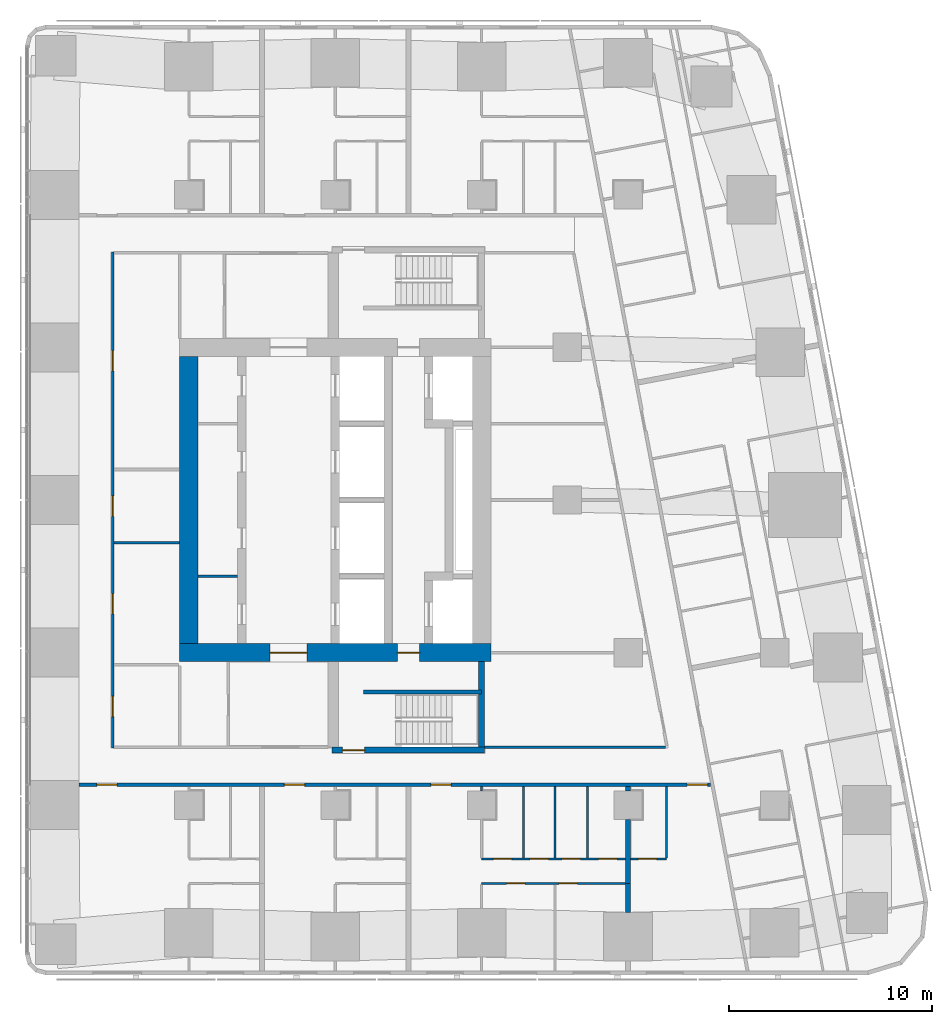
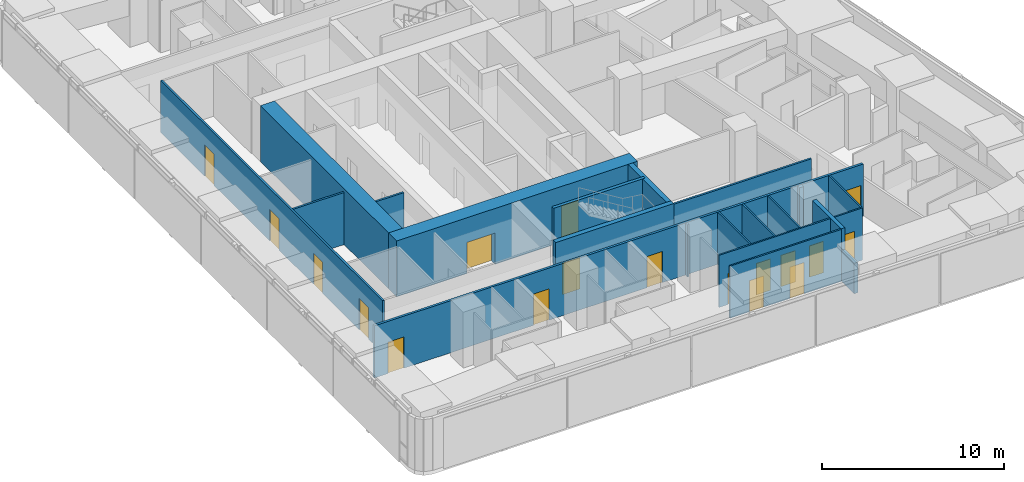
# One storey, part 8 of 17: 21 walls, 18 doors, 18 openings.
"""IFC4 building model written with IfcOpenShell, lengths in metres."""

from ifc_helpers import new_model, si_unit, direction, frame, frame_2d, origin, place, context, subcontext, project, spatial, rectangle, extrude, material, layer, layer_set, type_object, element, fill, save


model = new_model("IFC4")

# Units and contexts
model_context = context("Model", 3, precision=1e-05, world=origin(), true_north=direction((0.0, 1.0)))
body_context = subcontext(model_context, "Body", "Model", "MODEL_VIEW")
ifc_project = project(units=[si_unit("LENGTHUNIT", "METRE"), si_unit("AREAUNIT", "SQUARE_METRE"), si_unit("VOLUMEUNIT", "CUBIC_METRE"), si_unit("PLANEANGLEUNIT", "RADIAN"), si_unit("MASSUNIT", "GRAM", prefix="KILO")], contexts=[model_context])

# Site, building, storey
site_placement = place(None, origin())
site = spatial("IfcSite", under=ifc_project, at=site_placement, CompositionType="ELEMENT")
building_placement = place(site_placement, origin())
building = spatial("IfcBuilding", under=site, at=building_placement, Name="Sheger Commons Tower", CompositionType="ELEMENT")
storey_placement = place(building_placement, frame((0.0, 0.0, 208.699951171875)))
storey = spatial("IfcBuildingStorey", under=building, at=storey_placement, Name="L53", CompositionType="ELEMENT", Elevation=208.699951171875)

# Wall, openings, doors
ifc_material_1 = material(Name="Concrete C50/60", Category="concrete")
ifc_layer_1 = layer(ifc_material_1, 0.89990234375)
ifc_layer_set_1 = layer_set([ifc_layer_1], Name="CORE WALL 900")
wall_type_1 = type_object("IfcWallType", Name="CORE WALL 900", PredefinedType="SHEAR", material=ifc_layer_set_1)
wall_1_placement = place(storey_placement, frame((13.949951171875, 15.0, 0.0), z_axis=(0.0, 0.0, 1.0), x_axis=(1.0, 0.0, 0.0)))
wall_1 = element("IfcWall", 1, at=wall_1_placement, inside=storey, type_object=wall_type_1, Name="Core wall south L53", PredefinedType="SHEAR", context=body_context, shape_type="SweptSolid", body=[
    extrude(rectangle(XDim=15.300048828125, YDim=0.89990234375, at=frame_2d((7.64990234375, 0.0))), origin(), (0.0, 0.0, 1.0), 3.75),
])
opening_1_placement = place(wall_1_placement, frame((4.449951171875, 0.0, 0.0)))
opening_1 = element("IfcOpeningElement", 2, at=opening_1_placement, cuts=wall_1, Name="Opening D6", PredefinedType="OPENING", context=body_context, shape_type="SweptSolid", body=[
    extrude(rectangle(XDim=1.800048828125, YDim=2.10009765625, at=frame_2d((0.89990234375, 1.050048828125))), frame((0.0, 0.4599609375, 0.0), z_axis=(0.0, -1.0, 0.0), x_axis=(1.0, 0.0, 0.0)), (0.0, 0.0, 1.0), 0.919921875),
])
opening_2_placement = place(wall_1_placement, frame((10.699951171875, 0.0, 0.0)))
opening_2 = element("IfcOpeningElement", 3, at=opening_2_placement, cuts=wall_1, Name="Opening D5", PredefinedType="OPENING", context=body_context, shape_type="SweptSolid", body=[
    extrude(rectangle(XDim=1.10009765625, YDim=2.10009765625, at=frame_2d((0.550048828125, 1.050048828125))), frame((0.0, 0.4599609375, 0.0), z_axis=(0.0, -1.0, 0.0), x_axis=(1.0, 0.0, 0.0)), (0.0, 0.0, 1.0), 0.919921875),
])
ifc_material_2 = material(Name="Steel door set, fire rated", Category="steel")
door_type_1 = type_object("IfcDoorType", Name="LOBBY DOUBLE DOOR 1800x2100", OperationType="DOUBLE_DOOR_SINGLE_SWING", PredefinedType="DOOR", material=ifc_material_2)
door_1_placement = place(opening_1_placement, origin())
door_1 = element("IfcDoor", 4, at=door_1_placement, inside=storey, type_object=door_type_1, Name="Lift lobby door", OperationType="DOUBLE_DOOR_SINGLE_SWING", OverallHeight=2.10009765625, OverallWidth=1.800048828125, PredefinedType="DOOR", context=body_context, shape_type="SweptSolid", body=[
    extrude(rectangle(XDim=1.800048828125, YDim=2.10009765625, at=frame_2d((0.89990234375, 1.050048828125))), frame((0.0, 0.02490234375, 0.0), z_axis=(0.0, -1.0, 0.0), x_axis=(1.0, 0.0, 0.0)), (0.0, 0.0, 1.0), 0.050048828125),
])
fill(opening_1, door_1)
ifc_material_3 = material(Name="Steel door set, fire rated", Category="steel")
door_type_2 = type_object("IfcDoorType", Name="STAIR DOOR 1100x2100", OperationType="NOTDEFINED", PredefinedType="DOOR", material=ifc_material_3)
door_2_placement = place(opening_2_placement, origin())
door_2 = element("IfcDoor", 5, at=door_2_placement, inside=storey, type_object=door_type_2, Name="Fire-fighting lobby door", OperationType="SINGLE_SWING_LEFT", OverallHeight=2.10009765625, OverallWidth=1.10009765625, PredefinedType="DOOR", context=body_context, shape_type="SweptSolid", body=[
    extrude(rectangle(XDim=1.10009765625, YDim=2.10009765625, at=frame_2d((0.550048828125, 1.050048828125))), frame((0.0, 0.02490234375, 0.0), z_axis=(0.0, -1.0, 0.0), x_axis=(1.0, 0.0, 0.0)), (0.0, 0.0, 1.0), 0.050048828125),
])
fill(opening_2, door_2)

# Wall
wall_2_placement = place(storey_placement, frame((14.39990234375, 15.449951171875, 0.0), z_axis=(0.0, 0.0, 1.0), x_axis=(0.0, 1.0, 0.0)))
element("IfcWall", 6, at=wall_2_placement, inside=storey, type_object=wall_type_1, Name="Core wall west L53", PredefinedType="SHEAR", context=body_context, shape_type="SweptSolid", body=[
    extrude(rectangle(XDim=14.10009765625, YDim=0.89990234375, at=frame_2d((7.050048828125, 0.0))), origin(), (0.0, 0.0, 1.0), 3.75),
])

# Wall, openings, doors
ifc_material_4 = material(Name="Hollow concrete block masonry, skimmed both sides", Category="masonry")
ifc_layer_2 = layer(ifc_material_4, 0.14990234375)
ifc_layer_set_2 = layer_set([ifc_layer_2], Name="CORRIDOR WALL 150")
wall_type_2 = type_object("IfcWallType", Name="CORRIDOR WALL 150", PredefinedType="SOLIDWALL", material=ifc_layer_set_2)
wall_3_placement = place(storey_placement, frame((40.052978515625, 8.5, 0.0), z_axis=(0.0, 0.0, 1.0), x_axis=(-1.0, 0.0, 0.0)))
wall_3 = element("IfcWall", 7, at=wall_3_placement, inside=storey, type_object=wall_type_2, Name="Corridor wall L53", PredefinedType="SOLIDWALL", context=body_context, shape_type="SweptSolid", body=[
    extrude(rectangle(XDim=31.052001953125, YDim=0.14990234375, at=frame_2d((15.52587890625, 0.0))), origin(), (0.0, 0.0, 1.0), 3.5),
])
opening_3_placement = place(wall_3_placement, frame((29.177978515625, 0.0, 0.0)))
opening_3 = element("IfcOpeningElement", 8, at=opening_3_placement, cuts=wall_3, Name="Opening D1", PredefinedType="OPENING", context=body_context, shape_type="SweptSolid", body=[
    extrude(rectangle(XDim=1.0, YDim=2.10009765625, at=frame_2d((0.5, 1.050048828125))), frame((0.0, 0.0849609375, 0.0), z_axis=(0.0, -1.0, 0.0), x_axis=(1.0, 0.0, 0.0)), (0.0, 0.0, 1.0), 0.169921875),
])
opening_4_placement = place(wall_3_placement, frame((19.952880859375, 0.0, 0.0)))
opening_4 = element("IfcOpeningElement", 9, at=opening_4_placement, cuts=wall_3, Name="Opening D1", PredefinedType="OPENING", context=body_context, shape_type="SweptSolid", body=[
    extrude(rectangle(XDim=1.0, YDim=2.10009765625, at=frame_2d((0.5, 1.050048828125))), frame((0.0, 0.0849609375, 0.0), z_axis=(0.0, -1.0, 0.0), x_axis=(1.0, 0.0, 0.0)), (0.0, 0.0, 1.0), 0.169921875),
])
opening_5_placement = place(wall_3_placement, frame((12.7529296875, 0.0, 0.0)))
opening_5 = element("IfcOpeningElement", 10, at=opening_5_placement, cuts=wall_3, Name="Opening D1", PredefinedType="OPENING", context=body_context, shape_type="SweptSolid", body=[
    extrude(rectangle(XDim=1.0, YDim=2.10009765625, at=frame_2d((0.5, 1.050048828125))), frame((0.0, 0.0849609375, 0.0), z_axis=(0.0, -1.0, 0.0), x_axis=(1.0, 0.0, 0.0)), (0.0, 0.0, 1.0), 0.169921875),
])
opening_6_placement = place(wall_3_placement, frame((0.14990234375, 0.0, 0.0)))
opening_6 = element("IfcOpeningElement", 11, at=opening_6_placement, cuts=wall_3, Name="Opening D1", PredefinedType="OPENING", context=body_context, shape_type="SweptSolid", body=[
    extrude(rectangle(XDim=1.0, YDim=2.10009765625, at=frame_2d((0.5, 1.050048828125))), frame((0.0, 0.0849609375, 0.0), z_axis=(0.0, -1.0, 0.0), x_axis=(1.0, 0.0, 0.0)), (0.0, 0.0, 1.0), 0.169921875),
])
ifc_material_5 = material(Name="Steel door set, fire rated", Category="steel")
door_type_3 = type_object("IfcDoorType", Name="FLAT ENTRANCE DOOR 1000x2100", OperationType="NOTDEFINED", PredefinedType="DOOR", material=ifc_material_5)
door_3_placement = place(opening_3_placement, origin())
door_3 = element("IfcDoor", 12, at=door_3_placement, inside=storey, type_object=door_type_3, Name="Flat entrance door", OperationType="SINGLE_SWING_RIGHT", OverallHeight=2.10009765625, OverallWidth=1.0, PredefinedType="DOOR", context=body_context, shape_type="SweptSolid", body=[
    extrude(rectangle(XDim=1.0, YDim=2.10009765625, at=frame_2d((0.5, 1.050048828125))), frame((0.0, 0.02490234375, 0.0), z_axis=(0.0, -1.0, 0.0), x_axis=(1.0, 0.0, 0.0)), (0.0, 0.0, 1.0), 0.050048828125),
])
fill(opening_3, door_3)
door_4_placement = place(opening_4_placement, origin())
door_4 = element("IfcDoor", 13, at=door_4_placement, inside=storey, type_object=door_type_3, Name="Flat entrance door", OperationType="SINGLE_SWING_RIGHT", OverallHeight=2.10009765625, OverallWidth=1.0, PredefinedType="DOOR", context=body_context, shape_type="SweptSolid", body=[
    extrude(rectangle(XDim=1.0, YDim=2.10009765625, at=frame_2d((0.5, 1.050048828125))), frame((0.0, 0.02490234375, 0.0), z_axis=(0.0, -1.0, 0.0), x_axis=(1.0, 0.0, 0.0)), (0.0, 0.0, 1.0), 0.050048828125),
])
fill(opening_4, door_4)
door_5_placement = place(opening_5_placement, origin())
door_5 = element("IfcDoor", 14, at=door_5_placement, inside=storey, type_object=door_type_3, Name="Flat entrance door", OperationType="SINGLE_SWING_RIGHT", OverallHeight=2.10009765625, OverallWidth=1.0, PredefinedType="DOOR", context=body_context, shape_type="SweptSolid", body=[
    extrude(rectangle(XDim=1.0, YDim=2.10009765625, at=frame_2d((0.5, 1.050048828125))), frame((0.0, 0.02490234375, 0.0), z_axis=(0.0, -1.0, 0.0), x_axis=(1.0, 0.0, 0.0)), (0.0, 0.0, 1.0), 0.050048828125),
])
fill(opening_5, door_5)
door_6_placement = place(opening_6_placement, origin())
door_6 = element("IfcDoor", 15, at=door_6_placement, inside=storey, type_object=door_type_3, Name="Flat entrance door", OperationType="SINGLE_SWING_LEFT", OverallHeight=2.10009765625, OverallWidth=1.0, PredefinedType="DOOR", context=body_context, shape_type="SweptSolid", body=[
    extrude(rectangle(XDim=1.0, YDim=2.10009765625, at=frame_2d((0.5, 1.050048828125))), frame((0.0, 0.02490234375, 0.0), z_axis=(0.0, -1.0, 0.0), x_axis=(1.0, 0.0, 0.0)), (0.0, 0.0, 1.0), 0.050048828125),
])
fill(opening_6, door_6)

# Walls
ifc_material_6 = material(Name="Dense concrete block masonry, plastered both sides (separating wall between flats)", Category="masonry")
ifc_layer_3 = layer(ifc_material_6, 0.25)
ifc_layer_set_3 = layer_set([ifc_layer_3], Name="DEMISING WALL 250")
wall_type_3 = type_object("IfcWallType", Name="DEMISING WALL 250", PredefinedType="SOLIDWALL", material=ifc_layer_set_3)
wall_4_placement = place(storey_placement, frame((36.0, 2.22607421875, 0.0), z_axis=(0.0, 0.0, 1.0), x_axis=(0.0, 1.0, 0.0)))
element("IfcWall", 16, at=wall_4_placement, inside=storey, type_object=wall_type_3, Name="Demising wall L53", PredefinedType="SOLIDWALL", context=body_context, shape_type="SweptSolid", body=[
    extrude(rectangle(XDim=1.423828125, YDim=0.25, at=frame_2d((0.7119140625, 0.0))), origin(), (0.0, 0.0, 1.0), 2.050048828125),
])
wall_5_placement = place(storey_placement, frame((36.0, 3.64990234375, 0.0), z_axis=(0.0, 0.0, 1.0), x_axis=(0.0, 1.0, 0.0)))
element("IfcWall", 17, at=wall_5_placement, inside=storey, type_object=wall_type_3, Name="Demising wall L53", PredefinedType="SOLIDWALL", context=body_context, shape_type="SweptSolid", body=[
    extrude(rectangle(XDim=3.149169921875, YDim=0.25, at=frame_2d((1.57470703125, 0.0))), origin(), (0.0, 0.0, 1.0), 3.5),
])
wall_6_placement = place(storey_placement, frame((36.0, 8.200927734375, 0.0), z_axis=(0.0, 0.0, 1.0), x_axis=(0.0, 1.0, 0.0)))
element("IfcWall", 18, at=wall_6_placement, inside=storey, type_object=wall_type_3, Name="Demising wall L53", PredefinedType="SOLIDWALL", context=body_context, shape_type="SweptSolid", body=[
    extrude(rectangle(XDim=0.22412109375, YDim=0.25, at=frame_2d((0.112060546875, 0.0))), origin(), (0.0, 0.0, 1.0), 3.5),
])

# Wall, openings, doors
ifc_material_7 = material(Name="Gypsum board on steel studs", Category="steel")
ifc_layer_4 = layer(ifc_material_7, 0.10009765625)
ifc_layer_set_4 = layer_set([ifc_layer_4], Name="PARTITION 100")
wall_type_4 = type_object("IfcWallType", Name="PARTITION 100", PredefinedType="PARTITIONING", material=ifc_layer_set_4)
wall_7_placement = place(storey_placement, frame((35.875, 3.64990234375, 0.0), z_axis=(0.0, 0.0, 1.0), x_axis=(-1.0, 0.0, 0.0)))
wall_7 = element("IfcWall", 19, at=wall_7_placement, inside=storey, type_object=wall_type_4, Name="Partition L53", PredefinedType="PARTITIONING", context=body_context, shape_type="SweptSolid", body=[
    extrude(rectangle(XDim=7.074951171875, YDim=0.10009765625, at=frame_2d((3.53759765625, 0.0))), origin(), (0.0, 0.0, 1.0), 3.5),
])
opening_7_placement = place(wall_7_placement, frame((4.949951171875, 0.0, 0.0)))
opening_7 = element("IfcOpeningElement", 20, at=opening_7_placement, cuts=wall_7, Name="Opening D2", PredefinedType="OPENING", context=body_context, shape_type="SweptSolid", body=[
    extrude(rectangle(XDim=0.89990234375, YDim=2.10009765625, at=frame_2d((0.449951171875, 1.050048828125))), frame((0.0, 0.06005859375, 0.0), z_axis=(0.0, -1.0, 0.0), x_axis=(1.0, 0.0, 0.0)), (0.0, 0.0, 1.0), 0.1201171875),
])
opening_8_placement = place(wall_7_placement, frame((2.375, 0.0, 0.0)))
opening_8 = element("IfcOpeningElement", 21, at=opening_8_placement, cuts=wall_7, Name="Opening D2", PredefinedType="OPENING", context=body_context, shape_type="SweptSolid", body=[
    extrude(rectangle(XDim=0.89990234375, YDim=2.10009765625, at=frame_2d((0.449951171875, 1.050048828125))), frame((0.0, 0.06005859375, 0.0), z_axis=(0.0, -1.0, 0.0), x_axis=(1.0, 0.0, 0.0)), (0.0, 0.0, 1.0), 0.1201171875),
])
ifc_material_8 = material(Name="Timber door set", Category="wood")
door_type_4 = type_object("IfcDoorType", Name="INTERNAL DOOR 900x2100", OperationType="NOTDEFINED", PredefinedType="DOOR", material=ifc_material_8)
door_7_placement = place(opening_7_placement, origin())
door_7 = element("IfcDoor", 22, at=door_7_placement, inside=storey, type_object=door_type_4, Name="Main bedroom door", OperationType="SINGLE_SWING_RIGHT", OverallHeight=2.10009765625, OverallWidth=0.89990234375, PredefinedType="DOOR", context=body_context, shape_type="SweptSolid", body=[
    extrude(rectangle(XDim=0.89990234375, YDim=2.10009765625, at=frame_2d((0.449951171875, 1.050048828125))), frame((0.0, 0.02490234375, 0.0), z_axis=(0.0, -1.0, 0.0), x_axis=(1.0, 0.0, 0.0)), (0.0, 0.0, 1.0), 0.050048828125),
])
fill(opening_7, door_7)
door_8_placement = place(opening_8_placement, origin())
door_8 = element("IfcDoor", 23, at=door_8_placement, inside=storey, type_object=door_type_4, Name="Bedroom 2 door", OperationType="SINGLE_SWING_RIGHT", OverallHeight=2.10009765625, OverallWidth=0.89990234375, PredefinedType="DOOR", context=body_context, shape_type="SweptSolid", body=[
    extrude(rectangle(XDim=0.89990234375, YDim=2.10009765625, at=frame_2d((0.449951171875, 1.050048828125))), frame((0.0, 0.02490234375, 0.0), z_axis=(0.0, -1.0, 0.0), x_axis=(1.0, 0.0, 0.0)), (0.0, 0.0, 1.0), 0.050048828125),
])
fill(opening_8, door_8)

wall_8_placement = place(storey_placement, frame((35.875, 4.85009765625, 0.0), z_axis=(0.0, 0.0, 1.0), x_axis=(-1.0, 0.0, 0.0)))
wall_8 = element("IfcWall", 24, at=wall_8_placement, inside=storey, type_object=wall_type_4, Name="Partition L53", PredefinedType="PARTITIONING", context=body_context, shape_type="SweptSolid", body=[
    extrude(rectangle(XDim=7.074951171875, YDim=0.10009765625, at=frame_2d((3.53759765625, 0.0))), origin(), (0.0, 0.0, 1.0), 3.5),
])
opening_9_placement = place(wall_8_placement, frame((5.60009765625, 0.0, 0.0)))
opening_9 = element("IfcOpeningElement", 25, at=opening_9_placement, cuts=wall_8, Name="Opening D2", PredefinedType="OPENING", context=body_context, shape_type="SweptSolid", body=[
    extrude(rectangle(XDim=0.89990234375, YDim=2.10009765625, at=frame_2d((0.449951171875, 1.050048828125))), frame((0.0, 0.06005859375, 0.0), z_axis=(0.0, -1.0, 0.0), x_axis=(1.0, 0.0, 0.0)), (0.0, 0.0, 1.0), 0.1201171875),
])
opening_10_placement = place(wall_8_placement, frame((2.22509765625, 0.0, 0.0)))
opening_10 = element("IfcOpeningElement", 26, at=opening_10_placement, cuts=wall_8, Name="Opening D2", PredefinedType="OPENING", context=body_context, shape_type="SweptSolid", body=[
    extrude(rectangle(XDim=0.89990234375, YDim=2.10009765625, at=frame_2d((0.449951171875, 1.050048828125))), frame((0.0, 0.06005859375, 0.0), z_axis=(0.0, -1.0, 0.0), x_axis=(1.0, 0.0, 0.0)), (0.0, 0.0, 1.0), 0.1201171875),
])
opening_11_placement = place(wall_8_placement, frame((3.800048828125, 0.0, 0.0)))
opening_11 = element("IfcOpeningElement", 27, at=opening_11_placement, cuts=wall_8, Name="Opening D2", PredefinedType="OPENING", context=body_context, shape_type="SweptSolid", body=[
    extrude(rectangle(XDim=0.89990234375, YDim=2.10009765625, at=frame_2d((0.449951171875, 1.050048828125))), frame((0.0, 0.06005859375, 0.0), z_axis=(0.0, -1.0, 0.0), x_axis=(1.0, 0.0, 0.0)), (0.0, 0.0, 1.0), 0.1201171875),
])
opening_12_placement = place(wall_8_placement, frame((0.425048828125, 0.0, 0.0)))
opening_12 = element("IfcOpeningElement", 28, at=opening_12_placement, cuts=wall_8, Name="Opening D2", PredefinedType="OPENING", context=body_context, shape_type="SweptSolid", body=[
    extrude(rectangle(XDim=0.89990234375, YDim=2.10009765625, at=frame_2d((0.449951171875, 1.050048828125))), frame((0.0, 0.06005859375, 0.0), z_axis=(0.0, -1.0, 0.0), x_axis=(1.0, 0.0, 0.0)), (0.0, 0.0, 1.0), 0.1201171875),
])
door_9_placement = place(opening_9_placement, origin())
door_9 = element("IfcDoor", 29, at=door_9_placement, inside=storey, type_object=door_type_4, Name="Bathroom door", OperationType="SINGLE_SWING_LEFT", OverallHeight=2.10009765625, OverallWidth=0.89990234375, PredefinedType="DOOR", context=body_context, shape_type="SweptSolid", body=[
    extrude(rectangle(XDim=0.89990234375, YDim=2.10009765625, at=frame_2d((0.449951171875, 1.050048828125))), frame((0.0, 0.02490234375, 0.0), z_axis=(0.0, -1.0, 0.0), x_axis=(1.0, 0.0, 0.0)), (0.0, 0.0, 1.0), 0.050048828125),
])
fill(opening_9, door_9)
door_10_placement = place(opening_10_placement, origin())
door_10 = element("IfcDoor", 30, at=door_10_placement, inside=storey, type_object=door_type_4, Name="Shower room door", OperationType="SINGLE_SWING_LEFT", OverallHeight=2.10009765625, OverallWidth=0.89990234375, PredefinedType="DOOR", context=body_context, shape_type="SweptSolid", body=[
    extrude(rectangle(XDim=0.89990234375, YDim=2.10009765625, at=frame_2d((0.449951171875, 1.050048828125))), frame((0.0, 0.02490234375, 0.0), z_axis=(0.0, -1.0, 0.0), x_axis=(1.0, 0.0, 0.0)), (0.0, 0.0, 1.0), 0.050048828125),
])
fill(opening_10, door_10)
door_11_placement = place(opening_11_placement, origin())
door_11 = element("IfcDoor", 31, at=door_11_placement, inside=storey, type_object=door_type_4, Name="Store door", OperationType="SINGLE_SWING_LEFT", OverallHeight=2.10009765625, OverallWidth=0.89990234375, PredefinedType="DOOR", context=body_context, shape_type="SweptSolid", body=[
    extrude(rectangle(XDim=0.89990234375, YDim=2.10009765625, at=frame_2d((0.449951171875, 1.050048828125))), frame((0.0, 0.02490234375, 0.0), z_axis=(0.0, -1.0, 0.0), x_axis=(1.0, 0.0, 0.0)), (0.0, 0.0, 1.0), 0.050048828125),
])
fill(opening_11, door_11)
door_12_placement = place(opening_12_placement, origin())
door_12 = element("IfcDoor", 32, at=door_12_placement, inside=storey, type_object=door_type_4, Name="Store door", OperationType="SINGLE_SWING_RIGHT", OverallHeight=2.10009765625, OverallWidth=0.89990234375, PredefinedType="DOOR", context=body_context, shape_type="SweptSolid", body=[
    extrude(rectangle(XDim=0.89990234375, YDim=2.10009765625, at=frame_2d((0.449951171875, 1.050048828125))), frame((0.0, 0.02490234375, 0.0), z_axis=(0.0, -1.0, 0.0), x_axis=(1.0, 0.0, 0.0)), (0.0, 0.0, 1.0), 0.050048828125),
])
fill(opening_12, door_12)

# Walls
wall_9_placement = place(storey_placement, frame((28.800048828125, 8.200927734375, 0.0), z_axis=(0.0, 0.0, 1.0), x_axis=(0.0, 1.0, 0.0)))
element("IfcWall", 33, at=wall_9_placement, inside=storey, type_object=wall_type_4, Name="Partition L53", PredefinedType="PARTITIONING", context=body_context, shape_type="SweptSolid", body=[
    extrude(rectangle(XDim=0.22412109375, YDim=0.10009765625, at=frame_2d((0.112060546875, 0.0))), origin(), (0.0, 0.0, 1.0), 3.5),
])
for number, where, z_axis, x_axis, name in (
    (34, (32.39990234375, 4.89990234375, 0.0), (0.0, 0.0, 1.0), (0.0, 1.0, 0.0), "Partition L53"),
    (35, (30.85009765625, 4.89990234375, 0.0), (0.0, 0.0, 1.0), (0.0, 1.0, 0.0), "Partition L53"),
    (36, (34.0, 4.89990234375, 0.0), (0.0, 0.0, 1.0), (0.0, 1.0, 0.0), "Partition L53"),
):
    element("IfcWall", number, at=place(storey_placement, frame(where, z_axis=z_axis, x_axis=x_axis)), inside=storey, type_object=wall_type_4, Name=name, PredefinedType="PARTITIONING", context=body_context, shape_type="SweptSolid", body=[
        extrude(rectangle(XDim=3.525146484375, YDim=0.10009765625, at=frame_2d((1.7626953125, 0.0))), origin(), (0.0, 0.0, 1.0), 3.5),
    ])

# Wall, opening, door
wall_10_placement = place(storey_placement, frame((37.889892578125, 4.85009765625, 0.0), z_axis=(0.0, 0.0, 1.0), x_axis=(-1.0, 0.0, 0.0)))
wall_10 = element("IfcWall", 37, at=wall_10_placement, inside=storey, type_object=wall_type_4, Name="Partition L53", PredefinedType="PARTITIONING", context=body_context, shape_type="SweptSolid", body=[
    extrude(rectangle(XDim=1.764892578125, YDim=0.10009765625, at=frame_2d((0.88232421875, 0.0))), origin(), (0.0, 0.0, 1.0), 3.5),
])
opening_13_placement = place(wall_10_placement, frame((0.489990234375, 0.0, 0.0)))
opening_13 = element("IfcOpeningElement", 38, at=opening_13_placement, cuts=wall_10, Name="Opening D2", PredefinedType="OPENING", context=body_context, shape_type="SweptSolid", body=[
    extrude(rectangle(XDim=0.89990234375, YDim=2.10009765625, at=frame_2d((0.449951171875, 1.050048828125))), frame((0.0, 0.06005859375, 0.0), z_axis=(0.0, -1.0, 0.0), x_axis=(1.0, 0.0, 0.0)), (0.0, 0.0, 1.0), 0.1201171875),
])
door_13_placement = place(opening_13_placement, origin())
door_13 = element("IfcDoor", 39, at=door_13_placement, inside=storey, type_object=door_type_4, Name="Shower room door", OperationType="SINGLE_SWING_LEFT", OverallHeight=2.10009765625, OverallWidth=0.89990234375, PredefinedType="DOOR", context=body_context, shape_type="SweptSolid", body=[
    extrude(rectangle(XDim=0.89990234375, YDim=2.10009765625, at=frame_2d((0.449951171875, 1.050048828125))), frame((0.0, 0.02490234375, 0.0), z_axis=(0.0, -1.0, 0.0), x_axis=(1.0, 0.0, 0.0)), (0.0, 0.0, 1.0), 0.050048828125),
])
fill(opening_13, door_13)

# Wall
wall_11_placement = place(storey_placement, frame((37.889892578125, 4.89990234375, 0.0), z_axis=(0.0, 0.0, 1.0), x_axis=(0.0, 1.0, 0.0)))
element("IfcWall", 40, at=wall_11_placement, inside=storey, type_object=wall_type_4, Name="Partition L53", PredefinedType="PARTITIONING", context=body_context, shape_type="SweptSolid", body=[
    extrude(rectangle(XDim=3.525146484375, YDim=0.10009765625, at=frame_2d((1.7626953125, 0.0))), origin(), (0.0, 0.0, 1.0), 3.5),
])

# Wall, openings, doors
ifc_material_9 = material(Name="Gypsum board on steel studs, two layers each side, fire rated", Category="steel")
ifc_layer_5 = layer(ifc_material_9, 0.125)
ifc_layer_set_5 = layer_set([ifc_layer_5], Name="SERVICE WALL 125")
wall_type_5 = type_object("IfcWallType", Name="SERVICE WALL 125", PredefinedType="PARTITIONING", material=ifc_layer_set_5)
wall_12_placement = place(storey_placement, frame((10.64990234375, 10.300048828125, 0.0), z_axis=(0.0, 0.0, 1.0), x_axis=(0.0, 1.0, 0.0)))
wall_12 = element("IfcWall", 41, at=wall_12_placement, inside=storey, type_object=wall_type_5, Name="Service room wall L53", PredefinedType="PARTITIONING", context=body_context, shape_type="SweptSolid", body=[
    extrude(rectangle(XDim=24.39990234375, YDim=0.125, at=frame_2d((12.199951171875, 0.0))), origin(), (0.0, 0.0, 1.0), 3.5),
])
opening_14_placement = place(wall_12_placement, frame((1.550048828125, 0.0, 0.0)))
opening_14 = element("IfcOpeningElement", 42, at=opening_14_placement, cuts=wall_12, Name="Opening D4", PredefinedType="OPENING", context=body_context, shape_type="SweptSolid", body=[
    extrude(rectangle(XDim=1.0, YDim=2.10009765625, at=frame_2d((0.5, 1.050048828125))), frame((0.0, 0.072509765625, 0.0), z_axis=(0.0, -1.0, 0.0), x_axis=(1.0, 0.0, 0.0)), (0.0, 0.0, 1.0), 0.14501953125),
])
opening_15_placement = place(wall_12_placement, frame((6.60009765625, 0.0, 0.0)))
opening_15 = element("IfcOpeningElement", 43, at=opening_15_placement, cuts=wall_12, Name="Opening D4", PredefinedType="OPENING", context=body_context, shape_type="SweptSolid", body=[
    extrude(rectangle(XDim=1.0, YDim=2.10009765625, at=frame_2d((0.5, 1.050048828125))), frame((0.0, 0.072509765625, 0.0), z_axis=(0.0, -1.0, 0.0), x_axis=(1.0, 0.0, 0.0)), (0.0, 0.0, 1.0), 0.14501953125),
])
opening_16_placement = place(wall_12_placement, frame((11.39990234375, 0.0, 0.0)))
opening_16 = element("IfcOpeningElement", 44, at=opening_16_placement, cuts=wall_12, Name="Opening D4", PredefinedType="OPENING", context=body_context, shape_type="SweptSolid", body=[
    extrude(rectangle(XDim=1.0, YDim=2.10009765625, at=frame_2d((0.5, 1.050048828125))), frame((0.0, 0.072509765625, 0.0), z_axis=(0.0, -1.0, 0.0), x_axis=(1.0, 0.0, 0.0)), (0.0, 0.0, 1.0), 0.14501953125),
])
opening_17_placement = place(wall_12_placement, frame((18.550048828125, 0.0, 0.0)))
opening_17 = element("IfcOpeningElement", 45, at=opening_17_placement, cuts=wall_12, Name="Opening D4", PredefinedType="OPENING", context=body_context, shape_type="SweptSolid", body=[
    extrude(rectangle(XDim=1.0, YDim=2.10009765625, at=frame_2d((0.5, 1.050048828125))), frame((0.0, 0.072509765625, 0.0), z_axis=(0.0, -1.0, 0.0), x_axis=(1.0, 0.0, 0.0)), (0.0, 0.0, 1.0), 0.14501953125),
])
ifc_material_10 = material(Name="Steel door set, fire rated", Category="steel")
door_type_5 = type_object("IfcDoorType", Name="SERVICE DOOR 1000x2100", OperationType="NOTDEFINED", PredefinedType="DOOR", material=ifc_material_10)
door_14_placement = place(opening_14_placement, origin())
door_14 = element("IfcDoor", 46, at=door_14_placement, inside=storey, type_object=door_type_5, Name="Refuse chute room door", OperationType="SINGLE_SWING_RIGHT", OverallHeight=2.10009765625, OverallWidth=1.0, PredefinedType="DOOR", context=body_context, shape_type="SweptSolid", body=[
    extrude(rectangle(XDim=1.0, YDim=2.10009765625, at=frame_2d((0.5, 1.050048828125))), frame((0.0, 0.02490234375, 0.0), z_axis=(0.0, -1.0, 0.0), x_axis=(1.0, 0.0, 0.0)), (0.0, 0.0, 1.0), 0.050048828125),
])
fill(opening_14, door_14)
door_15_placement = place(opening_15_placement, origin())
door_15 = element("IfcDoor", 47, at=door_15_placement, inside=storey, type_object=door_type_5, Name="Parcel and delivery room door", OperationType="SINGLE_SWING_RIGHT", OverallHeight=2.10009765625, OverallWidth=1.0, PredefinedType="DOOR", context=body_context, shape_type="SweptSolid", body=[
    extrude(rectangle(XDim=1.0, YDim=2.10009765625, at=frame_2d((0.5, 1.050048828125))), frame((0.0, 0.02490234375, 0.0), z_axis=(0.0, -1.0, 0.0), x_axis=(1.0, 0.0, 0.0)), (0.0, 0.0, 1.0), 0.050048828125),
])
fill(opening_15, door_15)
door_16_placement = place(opening_16_placement, origin())
door_16 = element("IfcDoor", 48, at=door_16_placement, inside=storey, type_object=door_type_5, Name="Cleaner's store door", OperationType="SINGLE_SWING_RIGHT", OverallHeight=2.10009765625, OverallWidth=1.0, PredefinedType="DOOR", context=body_context, shape_type="SweptSolid", body=[
    extrude(rectangle(XDim=1.0, YDim=2.10009765625, at=frame_2d((0.5, 1.050048828125))), frame((0.0, 0.02490234375, 0.0), z_axis=(0.0, -1.0, 0.0), x_axis=(1.0, 0.0, 0.0)), (0.0, 0.0, 1.0), 0.050048828125),
])
fill(opening_16, door_16)
door_17_placement = place(opening_17_placement, origin())
door_17 = element("IfcDoor", 49, at=door_17_placement, inside=storey, type_object=door_type_5, Name="Residents' gym door", OperationType="SINGLE_SWING_LEFT", OverallHeight=2.10009765625, OverallWidth=1.0, PredefinedType="DOOR", context=body_context, shape_type="SweptSolid", body=[
    extrude(rectangle(XDim=1.0, YDim=2.10009765625, at=frame_2d((0.5, 1.050048828125))), frame((0.0, 0.02490234375, 0.0), z_axis=(0.0, -1.0, 0.0), x_axis=(1.0, 0.0, 0.0)), (0.0, 0.0, 1.0), 0.050048828125),
])
fill(opening_17, door_17)

# Walls
wall_13_placement = place(storey_placement, frame((10.712890625, 20.39990234375, 0.0), z_axis=(0.0, 0.0, 1.0), x_axis=(1.0, 0.0, 0.0)))
element("IfcWall", 50, at=wall_13_placement, inside=storey, type_object=wall_type_5, Name="Service room wall L53", PredefinedType="PARTITIONING", context=body_context, shape_type="SweptSolid", body=[
    extrude(rectangle(XDim=3.237060546875, YDim=0.125, at=frame_2d((1.61865234375, 0.0))), origin(), (0.0, 0.0, 1.0), 3.5),
])
wall_14_placement = place(storey_placement, frame((28.949951171875, 10.35009765625, 0.0), z_axis=(0.0, 0.0, 1.0), x_axis=(1.0, 0.0, 0.0)))
element("IfcWall", 51, at=wall_14_placement, inside=storey, type_object=wall_type_5, Name="Service room wall L53", PredefinedType="PARTITIONING", context=body_context, shape_type="SweptSolid", body=[
    extrude(rectangle(XDim=8.885986328125, YDim=0.125, at=frame_2d((4.44287109375, 0.0))), origin(), (0.0, 0.0, 1.0), 3.5),
])
wall_15_placement = place(storey_placement, frame((14.85009765625, 18.75, 0.0), z_axis=(0.0, 0.0, 1.0), x_axis=(1.0, 0.0, 0.0)))
element("IfcWall", 52, at=wall_15_placement, inside=storey, type_object=wall_type_5, Name="Service room wall L53", PredefinedType="PARTITIONING", context=body_context, shape_type="SweptSolid", body=[
    extrude(rectangle(XDim=1.949951171875, YDim=0.125, at=frame_2d((0.97509765625, 0.0))), origin(), (0.0, 0.0, 1.0), 3.5),
])

# Wall, opening, door
ifc_material_11 = material(Name="Concrete C50/60", Category="concrete")
ifc_layer_6 = layer(ifc_material_11, 0.300048828125)
ifc_layer_set_6 = layer_set([ifc_layer_6], Name="STAIR CORE WALL 300")
wall_type_6 = type_object("IfcWallType", Name="STAIR CORE WALL 300", PredefinedType="SHEAR", material=ifc_layer_set_6)
wall_16_placement = place(storey_placement, frame((21.449951171875, 10.199951171875, 0.0), z_axis=(0.0, 0.0, 1.0), x_axis=(1.0, 0.0, 0.0)))
wall_16 = element("IfcWall", 53, at=wall_16_placement, inside=storey, type_object=wall_type_6, Name="STW-L53-S1S", PredefinedType="SHEAR", context=body_context, shape_type="SweptSolid", body=[
    extrude(rectangle(XDim=7.5, YDim=0.300048828125, at=frame_2d((3.75, 0.0))), origin(), (0.0, 0.0, 1.0), 3.75),
])
opening_18_placement = place(wall_16_placement, frame((0.5, 0.0, 0.0)))
opening_18 = element("IfcOpeningElement", 54, at=opening_18_placement, cuts=wall_16, Name="Opening D5", PredefinedType="OPENING", context=body_context, shape_type="SweptSolid", body=[
    extrude(rectangle(XDim=1.10009765625, YDim=2.10009765625, at=frame_2d((0.550048828125, 1.050048828125))), frame((0.0, 0.159912109375, 0.0), z_axis=(0.0, -1.0, 0.0), x_axis=(1.0, 0.0, 0.0)), (0.0, 0.0, 1.0), 0.320068359375),
])
door_18_placement = place(opening_18_placement, origin())
door_18 = element("IfcDoor", 55, at=door_18_placement, inside=storey, type_object=door_type_2, Name="Stair S1 door", OperationType="SINGLE_SWING_LEFT", OverallHeight=2.10009765625, OverallWidth=1.10009765625, PredefinedType="DOOR", context=body_context, shape_type="SweptSolid", body=[
    extrude(rectangle(XDim=1.10009765625, YDim=2.10009765625, at=frame_2d((0.550048828125, 1.050048828125))), frame((0.0, 0.02490234375, 0.0), z_axis=(0.0, -1.0, 0.0), x_axis=(1.0, 0.0, 0.0)), (0.0, 0.0, 1.0), 0.050048828125),
])
fill(opening_18, door_18)

# Walls
wall_17_placement = place(storey_placement, frame((28.800048828125, 10.35009765625, 0.0), z_axis=(0.0, 0.0, 1.0), x_axis=(0.0, 1.0, 0.0)))
element("IfcWall", 56, at=wall_17_placement, inside=storey, type_object=wall_type_6, Name="STW-L53-S1E", PredefinedType="SHEAR", context=body_context, shape_type="SweptSolid", body=[
    extrude(rectangle(XDim=4.199951171875, YDim=0.300048828125, at=frame_2d((2.10009765625, 0.0))), origin(), (0.0, 0.0, 1.0), 3.75),
])
ifc_material_12 = material(Name="Concrete C50/60", Category="concrete")
ifc_layer_7 = layer(ifc_material_12, 0.199951171875)
ifc_layer_set_7 = layer_set([ifc_layer_7], Name="STAIR SPINE WALL 200")
wall_type_7 = type_object("IfcWallType", Name="STAIR SPINE WALL 200", PredefinedType="SHEAR", material=ifc_layer_set_7)
wall_18_placement = place(storey_placement, frame((23.0, 13.050048828125, 0.0), z_axis=(0.0, 0.0, 1.0), x_axis=(1.0, 0.0, 0.0)))
element("IfcWall", 57, at=wall_18_placement, inside=storey, type_object=wall_type_7, Name="Stair spine wall L53", PredefinedType="SHEAR", context=body_context, shape_type="SweptSolid", body=[
    extrude(rectangle(XDim=5.800048828125, YDim=0.199951171875, at=frame_2d((2.89990234375, 0.0))), origin(), (0.0, 0.0, 1.0), 3.75),
])

save(model, "model.ifc")
